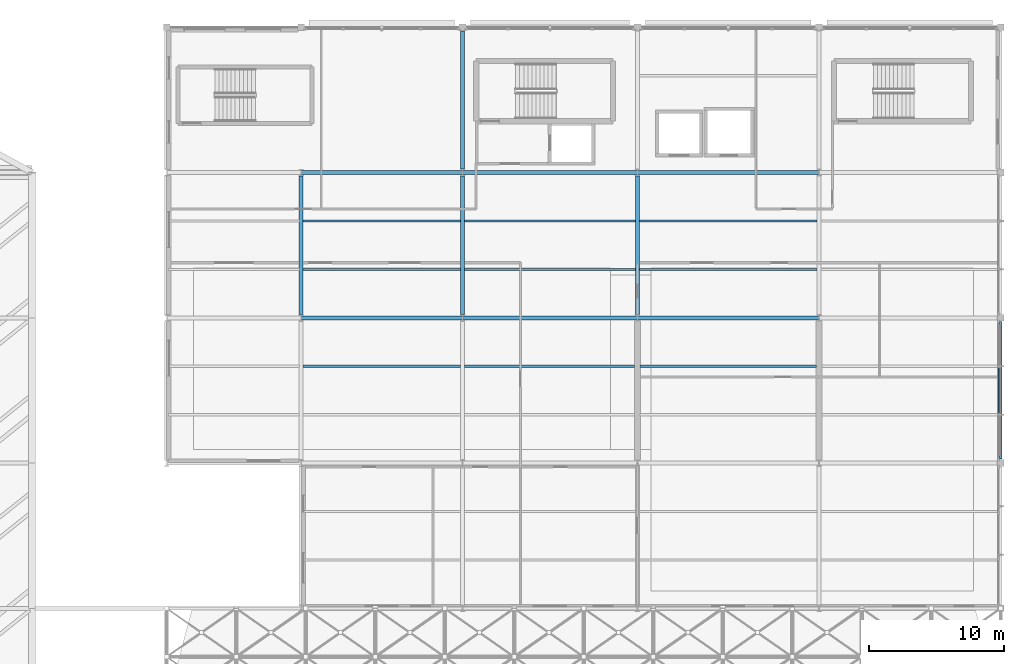
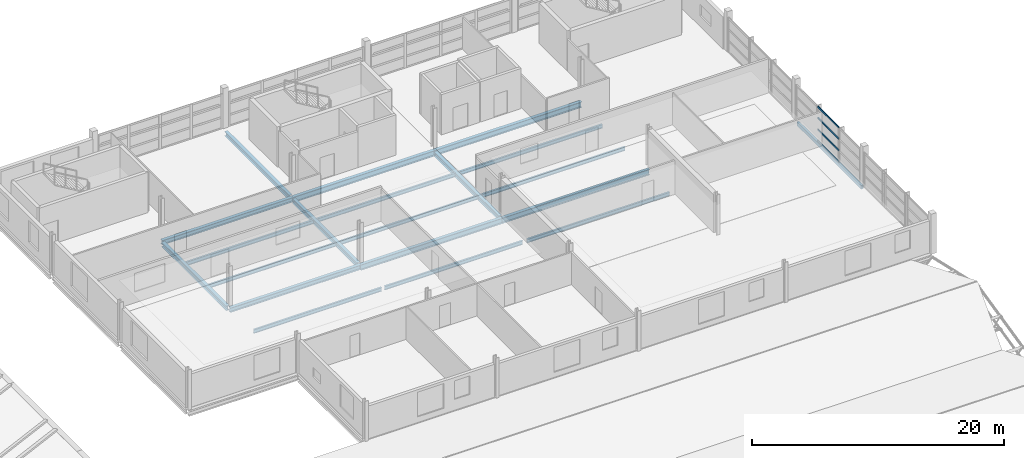
# One storey, part 52 of 110: 20 beams, 4 members, 1 element without a shape of its own.
"""IFC4 building model written with IfcOpenShell, lengths in metres."""

from ifc_helpers import new_model, si_unit, direction, frame, origin, origin_2d, place, context, subcontext, project, spatial, hollow_rectangle, i_section, extrude, material, layer, layer_set, material_profile, profile_set, type_object, element, aggregate, save


model = new_model("IFC4")

# Units and contexts
model_context = context("Model", 3, precision=1e-05, world=origin(), true_north=direction((0.0, 1.0)))
body_context = subcontext(model_context, "Body", "Model", "MODEL_VIEW")
ifc_project = project(units=[si_unit("LENGTHUNIT", "METRE"), si_unit("AREAUNIT", "SQUARE_METRE"), si_unit("VOLUMEUNIT", "CUBIC_METRE"), si_unit("PLANEANGLEUNIT", "RADIAN"), si_unit("MASSUNIT", "GRAM", prefix="KILO")], contexts=[model_context])

# Site, building, storey
site_placement = place(None, origin())
site = spatial("IfcSite", under=ifc_project, at=site_placement, CompositionType="ELEMENT")
building_placement = place(site_placement, origin())
building = spatial("IfcBuilding", under=site, at=building_placement, Name="Tamarisk Ironworks Central Station", CompositionType="ELEMENT")
storey_placement = place(building_placement, frame((0.0, 0.0, 17.39990234375)))
storey = spatial("IfcBuildingStorey", under=building, at=storey_placement, Name="L03", CompositionType="ELEMENT", Elevation=17.39990234375)

# Beams
ifc_material_1 = material(Name="Structural steel S355J2", Category="steel")
ifc_material_profile_1 = material_profile(ifc_material_1, i_section(OverallWidth=0.169921875, OverallDepth=0.360107421875, WebThickness=0.008056640625, FlangeThickness=0.0126953125, at=origin_2d()), Name="IPE 360")
ifc_profile_set_1 = profile_set([ifc_material_profile_1], Name="Structural steel S355J2")
beam_type_1 = type_object("IfcBeamType", Name="BM-B05", PredefinedType="BEAM", material=ifc_profile_set_1)
for number, where, z_axis, x_axis, name in (
    (1, (128.135009765625, 97.199951171875, -0.429931640625), (1.0, 0.0, 0.0), (0.0, 1.0, 0.0), "L03 secondary composite beam 0202"),
    (2, (128.135009765625, 104.39990234375, -0.429931640625), (1.0, 0.0, 0.0), (0.0, 1.0, 0.0), "L03 secondary composite beam 0203"),
    (3, (128.135009765625, 108.0, -0.429931640625), (1.0, 0.0, 0.0), (0.0, 1.0, 0.0), "L03 secondary composite beam 0204"),
):
    element("IfcBeam", number, at=place(storey_placement, frame(where, z_axis=z_axis, x_axis=x_axis)), inside=storey, type_object=beam_type_1, Name=name, PredefinedType="BEAM", context=body_context, shape_type="SweptSolid", body=[
        extrude(i_section(OverallWidth=0.169921875, OverallDepth=0.360107421875, WebThickness=0.008056640625, FlangeThickness=0.0126953125, at=origin_2d()), origin(), (0.0, 0.0, 1.0), 11.72998046875),
    ])
beam_1_placement = place(storey_placement, frame((140.135009765625, 97.199951171875, -0.429931640625), z_axis=(1.0, 0.0, 0.0), x_axis=(0.0, 1.0, 0.0)))
element("IfcBeam", 4, at=beam_1_placement, inside=storey, type_object=beam_type_1, Name="L03 secondary composite beam 0206", PredefinedType="BEAM", context=body_context, shape_type="SweptSolid", body=[
    extrude(i_section(OverallWidth=0.169921875, OverallDepth=0.360107421875, WebThickness=0.008056640625, FlangeThickness=0.0126953125, at=origin_2d()), origin(), (0.0, 0.0, 1.0), 12.6650390625),
])
for number, where, z_axis, x_axis, name in (
    (5, (140.135009765625, 104.39990234375, -0.429931640625), (1.0, 0.0, 0.0), (0.0, 1.0, 0.0), "L03 secondary composite beam 0207"),
    (6, (140.135009765625, 108.0, -0.429931640625), (1.0, 0.0, 0.0), (0.0, 1.0, 0.0), "L03 secondary composite beam 0208"),
):
    element("IfcBeam", number, at=place(storey_placement, frame(where, z_axis=z_axis, x_axis=x_axis)), inside=storey, type_object=beam_type_1, Name=name, PredefinedType="BEAM", context=body_context, shape_type="SweptSolid", body=[
        extrude(i_section(OverallWidth=0.169921875, OverallDepth=0.360107421875, WebThickness=0.008056640625, FlangeThickness=0.0126953125, at=origin_2d()), origin(), (0.0, 0.0, 1.0), 12.72998046875),
    ])
beam_2_placement = place(storey_placement, frame((153.199951171875, 97.199951171875, -0.429931640625), z_axis=(1.0, 0.0, 0.0), x_axis=(0.0, 1.0, 0.0)))
element("IfcBeam", 7, at=beam_2_placement, inside=storey, type_object=beam_type_1, Name="L03 secondary composite beam 0210", PredefinedType="BEAM", context=body_context, shape_type="SweptSolid", body=[
    extrude(i_section(OverallWidth=0.169921875, OverallDepth=0.360107421875, WebThickness=0.008056640625, FlangeThickness=0.0126953125, at=origin_2d()), origin(), (0.0, 0.0, 1.0), 13.10009765625),
])
for number, where, z_axis, x_axis, name in (
    (8, (153.135009765625, 104.39990234375, -0.429931640625), (1.0, 0.0, 0.0), (0.0, 1.0, 0.0), "L03 secondary composite beam 0211"),
    (9, (153.135009765625, 108.0, -0.429931640625), (1.0, 0.0, 0.0), (0.0, 1.0, 0.0), "L03 secondary composite beam 0212"),
):
    element("IfcBeam", number, at=place(storey_placement, frame(where, z_axis=z_axis, x_axis=x_axis)), inside=storey, type_object=beam_type_1, Name=name, PredefinedType="BEAM", context=body_context, shape_type="SweptSolid", body=[
        extrude(i_section(OverallWidth=0.169921875, OverallDepth=0.360107421875, WebThickness=0.008056640625, FlangeThickness=0.0126953125, at=origin_2d()), origin(), (0.0, 0.0, 1.0), 13.22998046875),
    ])
ifc_material_profile_2 = material_profile(ifc_material_1, i_section(OverallWidth=0.300048828125, OverallDepth=0.5400390625, WebThickness=0.012451171875, FlangeThickness=0.02392578125, at=origin_2d()), Name="HEA 550")
ifc_profile_set_2 = profile_set([ifc_material_profile_2], Name="Structural steel S355J2")
beam_type_2 = type_object("IfcBeamType", Name="BM-G04", PredefinedType="BEAM", material=ifc_profile_set_2)
beam_3_placement = place(storey_placement, frame((140.00390625, 100.800048828125, -0.52001953125), z_axis=(1.0, 0.0, 0.0), x_axis=(0.0, 1.0, 0.0)))
element("IfcBeam", 10, at=beam_3_placement, inside=storey, type_object=beam_type_2, Name="L03 primary girder X-0646", PredefinedType="BEAM", context=body_context, shape_type="SweptSolid", body=[
    extrude(i_section(OverallWidth=0.300048828125, OverallDepth=0.5400390625, WebThickness=0.012451171875, FlangeThickness=0.02392578125, at=origin_2d()), origin(), (0.0, 0.0, 1.0), 12.9921875),
])
beam_4_placement = place(storey_placement, frame((153.00390625, 100.800048828125, -0.52001953125), z_axis=(1.0, 0.0, 0.0), x_axis=(0.0, 1.0, 0.0)))
element("IfcBeam", 11, at=beam_4_placement, inside=storey, type_object=beam_type_2, Name="L03 primary girder X-0647", PredefinedType="BEAM", context=body_context, shape_type="SweptSolid", body=[
    extrude(i_section(OverallWidth=0.300048828125, OverallDepth=0.5400390625, WebThickness=0.012451171875, FlangeThickness=0.02392578125, at=origin_2d()), origin(), (0.0, 0.0, 1.0), 13.4921875),
])
beam_5_placement = place(storey_placement, frame((140.00390625, 111.60009765625, -0.52001953125), z_axis=(1.0, 0.0, 0.0), x_axis=(0.0, 1.0, 0.0)))
element("IfcBeam", 12, at=beam_5_placement, inside=storey, type_object=beam_type_2, Name="L03 primary girder X-0655", PredefinedType="BEAM", context=body_context, shape_type="SweptSolid", body=[
    extrude(i_section(OverallWidth=0.300048828125, OverallDepth=0.5400390625, WebThickness=0.012451171875, FlangeThickness=0.02392578125, at=origin_2d()), origin(), (0.0, 0.0, 1.0), 12.9921875),
])
beam_6_placement = place(storey_placement, frame((153.00390625, 111.60009765625, -0.52001953125), z_axis=(1.0, 0.0, 0.0), x_axis=(0.0, 1.0, 0.0)))
element("IfcBeam", 13, at=beam_6_placement, inside=storey, type_object=beam_type_2, Name="L03 primary girder X-0656", PredefinedType="BEAM", context=body_context, shape_type="SweptSolid", body=[
    extrude(i_section(OverallWidth=0.300048828125, OverallDepth=0.5400390625, WebThickness=0.012451171875, FlangeThickness=0.02392578125, at=origin_2d()), origin(), (0.0, 0.0, 1.0), 13.4921875),
])
ifc_material_profile_3 = material_profile(ifc_material_1, i_section(OverallWidth=0.300048828125, OverallDepth=0.43994140625, WebThickness=0.011474609375, FlangeThickness=0.02099609375, at=origin_2d()), Name="HEA 450")
ifc_profile_set_3 = profile_set([ifc_material_profile_3], Name="Structural steel S355J2")
beam_type_3 = type_object("IfcBeamType", Name="BM-G06", PredefinedType="BEAM", material=ifc_profile_set_3)
for number, where, z_axis, x_axis, name in (
    (14, (128.00390625, 100.800048828125, -0.469970703125), (1.0, 0.0, 0.0), (0.0, 1.0, 0.0), "L03 primary girder X-0645"),
    (15, (128.00390625, 111.60009765625, -0.469970703125), (1.0, 0.0, 0.0), (0.0, 1.0, 0.0), "L03 primary girder X-0654"),
):
    element("IfcBeam", number, at=place(storey_placement, frame(where, z_axis=z_axis, x_axis=x_axis)), inside=storey, type_object=beam_type_3, Name=name, PredefinedType="BEAM", context=body_context, shape_type="SweptSolid", body=[
        extrude(i_section(OverallWidth=0.300048828125, OverallDepth=0.43994140625, WebThickness=0.011474609375, FlangeThickness=0.02099609375, at=origin_2d()), origin(), (0.0, 0.0, 1.0), 11.9921875),
    ])
for number, where, z_axis, x_axis, name in (
    (16, (128.0, 101.06298828125, -0.469970703125), (0.0, 1.0, 0.0), (-1.0, 0.0, 0.0), "L03 primary girder Y-0685"),
    (17, (140.0, 101.06298828125, -0.469970703125), (0.0, 1.0, 0.0), (-1.0, 0.0, 0.0), "L03 primary girder Y-0688"),
):
    element("IfcBeam", number, at=place(storey_placement, frame(where, z_axis=z_axis, x_axis=x_axis)), inside=storey, type_object=beam_type_3, Name=name, PredefinedType="BEAM", context=body_context, shape_type="SweptSolid", body=[
        extrude(i_section(OverallWidth=0.300048828125, OverallDepth=0.43994140625, WebThickness=0.011474609375, FlangeThickness=0.02099609375, at=origin_2d()), origin(), (0.0, 0.0, 1.0), 10.27392578125),
    ])
beam_7_placement = place(storey_placement, frame((140.0, 111.863037109375, -0.469970703125), z_axis=(0.0, 1.0, 0.0), x_axis=(-1.0, 0.0, 0.0)))
element("IfcBeam", 18, at=beam_7_placement, inside=storey, type_object=beam_type_3, Name="L03 primary girder Y-0689", PredefinedType="BEAM", context=body_context, shape_type="SweptSolid", body=[
    extrude(i_section(OverallWidth=0.300048828125, OverallDepth=0.43994140625, WebThickness=0.011474609375, FlangeThickness=0.02099609375, at=origin_2d()), origin(), (0.0, 0.0, 1.0), 10.2490234375),
])
beam_8_placement = place(storey_placement, frame((153.0, 101.06298828125, -0.469970703125), z_axis=(0.0, 1.0, 0.0), x_axis=(-1.0, 0.0, 0.0)))
element("IfcBeam", 19, at=beam_8_placement, inside=storey, type_object=beam_type_3, Name="L03 primary girder Y-0693", PredefinedType="BEAM", context=body_context, shape_type="SweptSolid", body=[
    extrude(i_section(OverallWidth=0.300048828125, OverallDepth=0.43994140625, WebThickness=0.011474609375, FlangeThickness=0.02099609375, at=origin_2d()), origin(), (0.0, 0.0, 1.0), 10.27392578125),
])
ifc_material_profile_4 = material_profile(ifc_material_1, hollow_rectangle(XDim=0.199951171875, YDim=0.35009765625, WallThickness=0.012451171875, at=origin_2d()), Name="RHS 350x200x12.5")
ifc_profile_set_4 = profile_set([ifc_material_profile_4], Name="Structural steel S355J2")
beam_type_4 = type_object("IfcBeamType", Name="BM-SP01", PredefinedType="SPANDREL", material=ifc_profile_set_4)
beam_9_placement = place(storey_placement, frame((180.0, 90.2880859375, -0.4248046875), z_axis=(0.0, 1.0, 0.0), x_axis=(-1.0, 0.0, 0.0)))
element("IfcBeam", 20, at=beam_9_placement, inside=storey, type_object=beam_type_4, Name="L03 primary girder Y-0703", PredefinedType="SPANDREL", context=body_context, shape_type="SweptSolid", body=[
    extrude(hollow_rectangle(XDim=0.199951171875, YDim=0.35009765625, WallThickness=0.012451171875, at=origin_2d()), origin(), (0.0, 0.0, 1.0), 10.223876953125),
])

# Curtain wall, members
ifc_material_2 = material(Name="Anodized aluminium alloy 6063-T6", Category="aluminium")
ifc_layer = layer(ifc_material_2, 0.179931640625)
ifc_layer_set = layer_set([ifc_layer], Name="Anodized aluminium alloy 6063-T6")
curtain_wall_type = type_object("IfcCurtainWallType", Name="CW-21", PredefinedType="USERDEFINED", material=ifc_layer_set)
curtain_wall_placement = place(storey_placement, origin())
curtain_wall = element("IfcCurtainWall", 21, at=curtain_wall_placement, inside=storey, type_object=curtain_wall_type, Name="Operations L03 east facade curtain wall 090", ObjectType="GLAZED CURTAIN WALL", PredefinedType="USERDEFINED")
ifc_material_profile_5 = material_profile(ifc_material_2, hollow_rectangle(XDim=0.074951171875, YDim=0.159912109375, WallThickness=0.00390625, at=origin_2d()), Name="ALUM 160x75")
ifc_profile_set_5 = profile_set([ifc_material_profile_5], Name="Anodized aluminium alloy 6063-T6")
member_type = type_object("IfcMemberType", Name="CWT-01", PredefinedType="USERDEFINED", material=ifc_profile_set_5)
member_1_placement = place(storey_placement, frame((179.85009765625, 93.716064453125, 0.03759765625), z_axis=(0.0, 1.0, 0.0), x_axis=(-1.0, 0.0, 0.0)))
member_1 = element("IfcMember", 22, at=member_1_placement, type_object=member_type, Name="CW21 transom 2.1", ObjectType="TRANSOM", PredefinedType="USERDEFINED", context=body_context, shape_type="SweptSolid", body=[
    extrude(hollow_rectangle(XDim=0.074951171875, YDim=0.159912109375, WallThickness=0.00390625, at=origin_2d()), origin(), (0.0, 0.0, 1.0), 3.36767578125),
])
member_2_placement = place(storey_placement, frame((179.85009765625, 93.716064453125, 1.1201171875), z_axis=(0.0, 1.0, 0.0), x_axis=(-1.0, 0.0, 0.0)))
member_2 = element("IfcMember", 23, at=member_2_placement, type_object=member_type, Name="CW21 transom 2.2", ObjectType="TRANSOM", PredefinedType="USERDEFINED", context=body_context, shape_type="SweptSolid", body=[
    extrude(hollow_rectangle(XDim=0.074951171875, YDim=0.159912109375, WallThickness=0.00390625, at=origin_2d()), origin(), (0.0, 0.0, 1.0), 3.36767578125),
])
member_3_placement = place(storey_placement, frame((179.85009765625, 93.716064453125, 2.239990234375), z_axis=(0.0, 1.0, 0.0), x_axis=(-1.0, 0.0, 0.0)))
member_3 = element("IfcMember", 24, at=member_3_placement, type_object=member_type, Name="CW21 transom 2.3", ObjectType="TRANSOM", PredefinedType="USERDEFINED", context=body_context, shape_type="SweptSolid", body=[
    extrude(hollow_rectangle(XDim=0.074951171875, YDim=0.159912109375, WallThickness=0.00390625, at=origin_2d()), origin(), (0.0, 0.0, 1.0), 3.36767578125),
])
member_4_placement = place(storey_placement, frame((179.85009765625, 93.716064453125, 3.322509765625), z_axis=(0.0, 1.0, 0.0), x_axis=(-1.0, 0.0, 0.0)))
member_4 = element("IfcMember", 25, at=member_4_placement, type_object=member_type, Name="CW21 transom 2.4", ObjectType="TRANSOM", PredefinedType="USERDEFINED", context=body_context, shape_type="SweptSolid", body=[
    extrude(hollow_rectangle(XDim=0.074951171875, YDim=0.159912109375, WallThickness=0.00390625, at=origin_2d()), origin(), (0.0, 0.0, 1.0), 3.36767578125),
])
aggregate(curtain_wall, [member_1, member_2, member_3, member_4])

save(model, "model.ifc")
